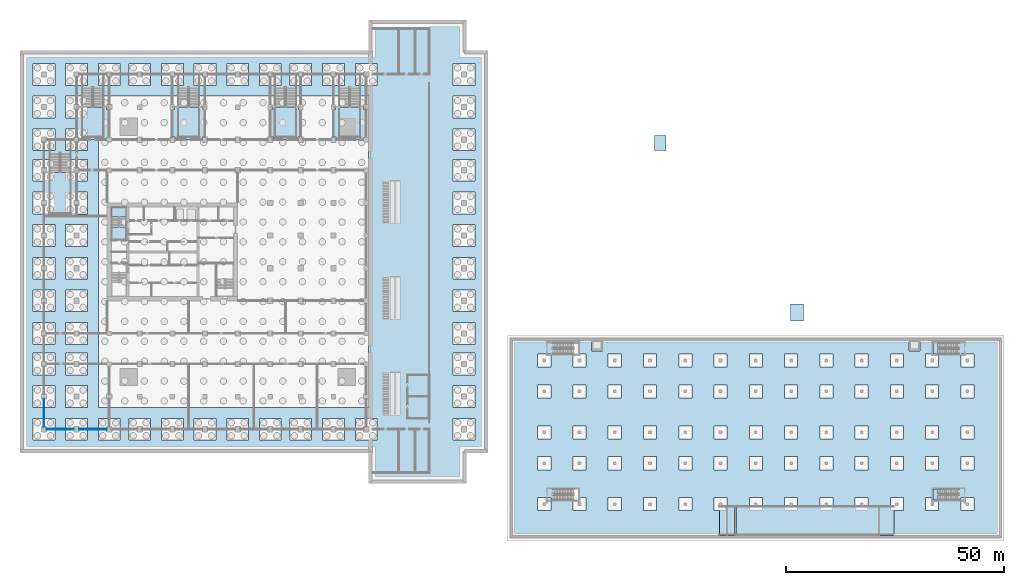
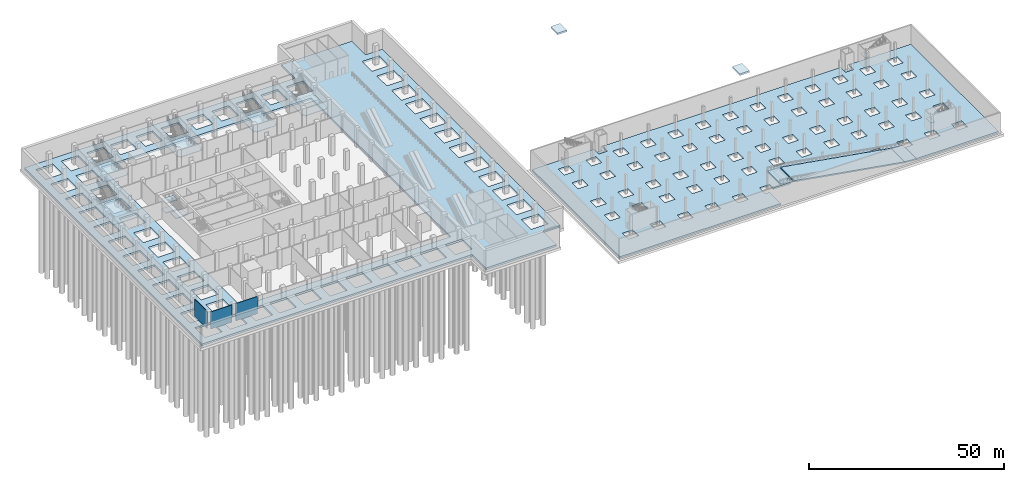
# One storey, part 5 of 39: 19 slabs, 3 walls, 8 elements without a shape of their own.
"""IFC4 building model written with IfcOpenShell, lengths in metres."""

import ifcopenshell
import ifcopenshell.guid

model = None  # the IFC model being written
_history = None  # IfcOwnerHistory: only IFC2X3 demands one
_inside = {}  # id of a spatial element -> (the spatial element, [elements in it])
_under = {}  # id of a project, library or spatial element -> (it, [spatial elements below it])
_declared = {}  # id of a project -> (the project, [libraries it declares])
_typed = {}  # id of a type object -> (the type object, [elements of that type])
_made_of = {}  # id of a material, layer set ... -> (it, [elements and type objects made of it])


def new_model(schema):
    """Start an empty IFC model of exactly this schema.

    Asked for "IFC4X3", IfcOpenShell would pick the latest addendum, in which some entities
    have other attributes; the version numbers below select the first issue.
    IFC2X3 requires an IfcOwnerHistory on every rooted entity: one is made here for all.
    """
    global model, _history
    if schema == "IFC4X3":
        model = ifcopenshell.file(schema_version=(4, 3, 0, 0))
    else:
        model = ifcopenshell.file(schema=schema)
    _inside.clear()
    _under.clear()
    _declared.clear()
    _typed.clear()
    _made_of.clear()
    _history = None
    if model.schema == "IFC2X3":
        org = make("IfcOrganization", Name="unknown")
        user = make(
            "IfcPersonAndOrganization",
            ThePerson=make("IfcPerson", FamilyName="unknown"),
            TheOrganization=org,
        )
        app = make(
            "IfcApplication",
            ApplicationDeveloper=org,
            Version="unknown",
            ApplicationFullName="unknown",
            ApplicationIdentifier="unknown",
        )
        _history = make(
            "IfcOwnerHistory",
            OwningUser=user,
            OwningApplication=app,
            ChangeAction="ADDED",
            CreationDate=0,
        )
    return model


def make(cls, **values):
    """One entity of the class cls with the attributes given. An attribute that is None is left unset."""
    return model.create_entity(
        cls, **{name: value for name, value in values.items() if value is not None}
    )


def rooted(cls, **values):
    """An entity with a GlobalId (a new one), such as an element, a storey or a relation."""
    return make(cls, GlobalId=ifcopenshell.guid.new(), OwnerHistory=_history, **values)


def si_unit(unit_type, name, prefix=None):
    """IfcSIUnit, for example si_unit("LENGTHUNIT", "METRE", prefix="MILLI")."""
    return make("IfcSIUnit", UnitType=unit_type, Prefix=prefix, Name=name)


def assignment(units):
    """IfcUnitAssignment: the units of a project."""
    return None if units is None else make("IfcUnitAssignment", Units=units)


def point(xyz):
    """IfcCartesianPoint."""
    return None if xyz is None else make("IfcCartesianPoint", Coordinates=xyz)


def direction(xyz):
    """IfcDirection."""
    return None if xyz is None else make("IfcDirection", DirectionRatios=xyz)


def frame(location, z_axis=None, x_axis=None):
    """IfcAxis2Placement3D, a coordinate frame: its origin and axes. An axis left out is left unset."""
    return make(
        "IfcAxis2Placement3D",
        Location=point(location),
        Axis=direction(z_axis),
        RefDirection=direction(x_axis),
    )


def frame_2d(location, x_axis=None):
    """IfcAxis2Placement2D, a coordinate frame in the plane: its origin and x axis."""
    return make(
        "IfcAxis2Placement2D", Location=point(location), RefDirection=direction(x_axis)
    )


def origin():
    """The frame at (0, 0, 0) with its axes left unset."""
    return frame((0.0, 0.0, 0.0))


def place(relative_to, where):
    """IfcLocalPlacement: puts the frame where relative to a parent placement (None: the world)."""
    return make(
        "IfcLocalPlacement", PlacementRelTo=relative_to, RelativePlacement=where
    )


def context(
    kind, dimensions, precision=None, world=None, true_north=None, identifier=None
):
    """IfcGeometricRepresentationContext, for example the 3D "Model" context."""
    return make(
        "IfcGeometricRepresentationContext",
        ContextIdentifier=identifier,
        ContextType=kind,
        CoordinateSpaceDimension=dimensions,
        Precision=precision,
        WorldCoordinateSystem=world,
        TrueNorth=true_north,
    )


def subcontext(parent, identifier, kind, view, scale=None):
    """IfcGeometricRepresentationSubContext, for example "Body" below "Model"."""
    return make(
        "IfcGeometricRepresentationSubContext",
        ContextIdentifier=identifier,
        ContextType=kind,
        ParentContext=parent,
        TargetScale=scale,
        TargetView=view,
    )


def project(units=None, contexts=None):
    """IfcProject with its units and contexts."""
    return rooted(
        "IfcProject",
        Name="project",
        RepresentationContexts=contexts,
        UnitsInContext=assignment(units),
    )


def spatial(cls, under=None, at=None, **own):
    """A site, building, storey or space (cls), placed at a placement, below another one or the project."""
    s = rooted(cls, ObjectPlacement=at, **own)
    if under is not None:
        _under.setdefault(under.id(), (under, []))[1].append(s)
    return s


def polyline(points):
    """IfcPolyline through the points."""
    return make("IfcPolyline", Points=[point(p) for p in points])


def profile(cls, at=None, kind="AREA", **sizes):
    """A parametric profile (cls). Its sizes go by their IFC names, for example OverallWidth=200.0."""
    return make(cls, ProfileType=kind, Position=at, **sizes)


def rectangle(**sizes):
    """IfcRectangleProfileDef."""
    return profile("IfcRectangleProfileDef", **sizes)


def outline(outer, holes=None, kind="AREA"):
    """IfcArbitraryClosedProfileDef: a profile drawn as a closed curve; with holes, ...WithVoids."""
    if holes is None:
        return make("IfcArbitraryClosedProfileDef", ProfileType=kind, OuterCurve=outer)
    return make(
        "IfcArbitraryProfileDefWithVoids",
        ProfileType=kind,
        OuterCurve=outer,
        InnerCurves=holes,
    )


def extrude(swept, where, along, depth):
    """IfcExtrudedAreaSolid: the profile swept, set in the frame where, extruded along a direction by depth."""
    return make(
        "IfcExtrudedAreaSolid",
        SweptArea=swept,
        Position=where,
        ExtrudedDirection=direction(along),
        Depth=depth,
    )


def shape(context_of_items, identifier, shape_type, items):
    """IfcShapeRepresentation: the items that make up one representation, for example the "Body"."""
    return make(
        "IfcShapeRepresentation",
        ContextOfItems=context_of_items,
        RepresentationIdentifier=identifier,
        RepresentationType=shape_type,
        Items=items,
    )


def material(Name=None, Category=None):
    """IfcMaterial."""
    return make("IfcMaterial", Name=Name, Category=Category)


def layer(
    of_material, thickness, ventilated=None, Name=None, Category=None, Priority=None
):
    """IfcMaterialLayer: one layer of a wall or slab, of a material (None: an air gap)."""
    return make(
        "IfcMaterialLayer",
        Material=of_material,
        LayerThickness=thickness,
        IsVentilated=ventilated,
        Name=Name,
        Category=Category,
        Priority=Priority,
    )


def layer_set(layers, Name=None):
    """IfcMaterialLayerSet."""
    return make("IfcMaterialLayerSet", MaterialLayers=layers, LayerSetName=Name)


def made_of(thing, what):
    """Note that an element or type object is made of a material, layer set ...; save() writes the relation."""
    if what is not None:
        _made_of.setdefault(what.id(), (what, []))[1].append(thing)
    return thing


def type_object(cls, material=None, **own):
    """A type object (cls), such as IfcWallType, which elements share."""
    return made_of(rooted(cls, **own), material)


def element(
    cls,
    number,
    at=None,
    inside=None,
    cuts=None,
    type_object=None,
    material=None,
    context=None,
    identifier="Body",
    shape_type=None,
    held_by="IfcProductDefinitionShape",
    body=None,
    shapes=None,
    **own,
):
    """One element of the class cls, such as IfcWall. Its Tag is "e" and its number.

    at: its placement. inside: the storey or other place that contains it. cuts: it is an
    opening in that element (IfcRelVoidsElement). A single representation is given by context,
    identifier, shape_type and body (its items); several are given by shapes. held_by: the class
    of the entity that holds the representations. save() writes the other relations.
    """
    e = rooted(cls, Tag="e%d" % number, ObjectPlacement=at, **own)
    if body is not None:
        shapes = [shape(context, identifier, shape_type, body)]
    if shapes is not None:
        e.Representation = make(held_by, Representations=shapes)
    if inside is not None:
        _inside.setdefault(inside.id(), (inside, []))[1].append(e)
    if cuts is not None:
        rooted(
            "IfcRelVoidsElement", RelatingBuildingElement=cuts, RelatedOpeningElement=e
        )
    if type_object is not None:
        _typed.setdefault(type_object.id(), (type_object, []))[1].append(e)
    return made_of(e, material)


def aggregate(whole, parts):
    """IfcRelAggregates: a whole, such as a stair, and the parts it consists of."""
    return rooted("IfcRelAggregates", RelatingObject=whole, RelatedObjects=parts)


def save(model, path):
    """Write the relations noted so far, then the file.

    IfcRelAggregates (storeys below a building ...), IfcRelContainedInSpatialStructure (elements
    in a storey), IfcRelDefinesByType, IfcRelAssociatesMaterial and IfcRelDeclares: one each for
    every whole, place, type object, material and project.
    """
    for whole, parts in _under.values():
        aggregate(whole, parts)
    for where, things in _inside.values():
        rooted(
            "IfcRelContainedInSpatialStructure",
            RelatedElements=things,
            RelatingStructure=where,
        )
    for kind, things in _typed.values():
        rooted("IfcRelDefinesByType", RelatedObjects=things, RelatingType=kind)
    for what, things in _made_of.values():
        rooted("IfcRelAssociatesMaterial", RelatedObjects=things, RelatingMaterial=what)
    for by, libraries in _declared.values():
        rooted("IfcRelDeclares", RelatingContext=by, RelatedDefinitions=libraries)
    model.write(path)


model = new_model("IFC4")

# Units and contexts
model_context = context("Model", 3, precision=1e-05, world=origin(), true_north=direction((0.0, 1.0)))
body_context = subcontext(model_context, "Body", "Model", "MODEL_VIEW")
ifc_project = project(units=[si_unit("LENGTHUNIT", "METRE"), si_unit("AREAUNIT", "SQUARE_METRE"), si_unit("VOLUMEUNIT", "CUBIC_METRE"), si_unit("PLANEANGLEUNIT", "RADIAN"), si_unit("MASSUNIT", "GRAM", prefix="KILO")], contexts=[model_context])

# Site, building, storey
site_placement = place(None, origin())
site = spatial("IfcSite", under=ifc_project, at=site_placement, CompositionType="ELEMENT")
building_placement = place(site_placement, origin())
building = spatial("IfcBuilding", under=site, at=building_placement, Name="Tamorin Gate", CompositionType="ELEMENT")
storey_placement = place(building_placement, frame((0.0, 0.0, -12.0)))
storey = spatial("IfcBuildingStorey", under=building, at=storey_placement, Name="B2", CompositionType="ELEMENT", Elevation=-12.0)

# Slabs
ifc_material_1 = material(Name="Concrete C40/50", Category="concrete")
ifc_layer_1 = layer(ifc_material_1, 0.60009765625)
ifc_layer_set_1 = layer_set([ifc_layer_1], Name="Basement slab 600 C40/50")
slab_type_1 = type_object("IfcSlabType", Name="Basement slab 600 C40/50", PredefinedType="BASESLAB", material=ifc_layer_set_1)
slab_1_placement = place(storey_placement, frame((0.0, 0.0, -0.60009765625)))
element("IfcSlab", 1, at=slab_1_placement, inside=storey, type_object=slab_type_1, Name="Basement B2", PredefinedType="BASESLAB", context=body_context, shape_type="SweptSolid", body=[
    extrude(outline(polyline([(116.699951171875, 25.800048828125), (111.699951171875, 25.800048828125), (111.699951171875, 18.800048828125), (90.800048828125, 18.800048828125), (90.800048828125, 25.800048828125), (10.800048828125, 25.800048828125), (10.800048828125, 116.699951171875), (90.800048828125, 116.699951171875), (90.800048828125, 123.699951171875), (111.699951171875, 123.699951171875), (111.699951171875, 116.699951171875), (116.699951171875, 116.699951171875), (116.699951171875, 25.800048828125)]), holes=[polyline([(90.0, 107.0), (28.0, 107.0), (28.0, 35.5), (90.0, 35.5), (90.0, 107.0)]), polyline([(18.0, 28.0), (18.0, 33.0), (13.0, 33.0), (13.0, 28.0), (18.0, 28.0)]), polyline([(18.0, 35.5), (18.0, 40.5), (13.0, 40.5), (13.0, 35.5), (18.0, 35.5)]), polyline([(18.0, 43.0), (18.0, 48.0), (13.0, 48.0), (13.0, 43.0), (18.0, 43.0)]), polyline([(18.0, 50.0), (18.0, 55.0), (13.0, 55.0), (13.0, 50.0), (18.0, 50.0)]), polyline([(18.0, 57.5), (18.0, 62.5), (13.0, 62.5), (13.0, 57.5), (18.0, 57.5)]), polyline([(18.0, 65.0), (18.0, 70.0), (13.0, 70.0), (13.0, 65.0), (18.0, 65.0)]), polyline([(18.0, 72.5), (18.0, 77.5), (13.0, 77.5), (13.0, 72.5), (18.0, 72.5)]), polyline([(18.0, 80.0), (18.0, 85.0), (13.0, 85.0), (13.0, 80.0), (18.0, 80.0)]), polyline([(18.0, 87.5), (18.0, 92.5), (13.0, 92.5), (13.0, 87.5), (18.0, 87.5)]), polyline([(18.0, 94.5), (18.0, 99.5), (13.0, 99.5), (13.0, 94.5), (18.0, 94.5)]), polyline([(18.0, 102.0), (18.0, 107.0), (13.0, 107.0), (13.0, 102.0), (18.0, 102.0)]), polyline([(18.0, 109.5), (18.0, 114.5), (13.0, 114.5), (13.0, 109.5), (18.0, 109.5)]), polyline([(25.5, 28.0), (25.5, 33.0), (20.5, 33.0), (20.5, 28.0), (25.5, 28.0)]), polyline([(25.5, 35.5), (25.5, 40.5), (20.5, 40.5), (20.5, 35.5), (25.5, 35.5)]), polyline([(25.5, 43.0), (25.5, 48.0), (20.5, 48.0), (20.5, 43.0), (25.5, 43.0)]), polyline([(25.5, 50.0), (25.5, 55.0), (20.5, 55.0), (20.5, 50.0), (25.5, 50.0)]), polyline([(25.5, 57.5), (25.5, 62.5), (20.5, 62.5), (20.5, 57.5), (25.5, 57.5)]), polyline([(25.5, 65.0), (25.5, 70.0), (20.5, 70.0), (20.5, 65.0), (25.5, 65.0)]), polyline([(25.5, 72.5), (25.5, 77.5), (20.5, 77.5), (20.5, 72.5), (25.5, 72.5)]), polyline([(25.5, 80.0), (25.5, 85.0), (20.5, 85.0), (20.5, 80.0), (25.5, 80.0)]), polyline([(25.5, 87.5), (25.5, 92.5), (20.5, 92.5), (20.5, 87.5), (25.5, 87.5)]), polyline([(25.5, 94.5), (25.5, 99.5), (20.5, 99.5), (20.5, 94.5), (25.5, 94.5)]), polyline([(25.5, 102.0), (25.5, 107.0), (20.5, 107.0), (20.5, 102.0), (25.5, 102.0)]), polyline([(25.5, 109.5), (25.5, 114.5), (20.5, 114.5), (20.5, 109.5), (25.5, 109.5)]), polyline([(33.0, 28.0), (33.0, 33.0), (28.0, 33.0), (28.0, 28.0), (33.0, 28.0)]), polyline([(33.0, 109.5), (33.0, 114.5), (28.0, 114.5), (28.0, 109.5), (33.0, 109.5)]), polyline([(40.0, 28.0), (40.0, 33.0), (35.0, 33.0), (35.0, 28.0), (40.0, 28.0)]), polyline([(40.0, 109.5), (40.0, 114.5), (35.0, 114.5), (35.0, 109.5), (40.0, 109.5)]), polyline([(47.5, 28.0), (47.5, 33.0), (42.5, 33.0), (42.5, 28.0), (47.5, 28.0)]), polyline([(47.5, 109.5), (47.5, 114.5), (42.5, 114.5), (42.5, 109.5), (47.5, 109.5)]), polyline([(55.0, 28.0), (55.0, 33.0), (50.0, 33.0), (50.0, 28.0), (55.0, 28.0)]), polyline([(55.0, 109.5), (55.0, 114.5), (50.0, 114.5), (50.0, 109.5), (55.0, 109.5)]), polyline([(62.5, 28.0), (62.5, 33.0), (57.5, 33.0), (57.5, 28.0), (62.5, 28.0)]), polyline([(62.5, 109.5), (62.5, 114.5), (57.5, 114.5), (57.5, 109.5), (62.5, 109.5)]), polyline([(70.0, 28.0), (70.0, 33.0), (65.0, 33.0), (65.0, 28.0), (70.0, 28.0)]), polyline([(70.0, 109.5), (70.0, 114.5), (65.0, 114.5), (65.0, 109.5), (70.0, 109.5)]), polyline([(77.0, 28.0), (77.0, 33.0), (72.0, 33.0), (72.0, 28.0), (77.0, 28.0)]), polyline([(77.0, 109.5), (77.0, 114.5), (72.0, 114.5), (72.0, 109.5), (77.0, 109.5)]), polyline([(84.5, 28.0), (84.5, 33.0), (79.5, 33.0), (79.5, 28.0), (84.5, 28.0)]), polyline([(84.5, 109.5), (84.5, 114.5), (79.5, 114.5), (79.5, 109.5), (84.5, 109.5)]), polyline([(92.0, 28.0), (92.0, 33.0), (87.0, 33.0), (87.0, 28.0), (92.0, 28.0)]), polyline([(92.0, 109.5), (92.0, 114.5), (87.0, 114.5), (87.0, 109.5), (92.0, 109.5)]), polyline([(114.5, 28.0), (114.5, 33.0), (109.5, 33.0), (109.5, 28.0), (114.5, 28.0)]), polyline([(114.5, 35.5), (114.5, 40.5), (109.5, 40.5), (109.5, 35.5), (114.5, 35.5)]), polyline([(114.5, 43.0), (114.5, 48.0), (109.5, 48.0), (109.5, 43.0), (114.5, 43.0)]), polyline([(114.5, 50.0), (114.5, 55.0), (109.5, 55.0), (109.5, 50.0), (114.5, 50.0)]), polyline([(114.5, 57.5), (114.5, 62.5), (109.5, 62.5), (109.5, 57.5), (114.5, 57.5)]), polyline([(114.5, 65.0), (114.5, 70.0), (109.5, 70.0), (109.5, 65.0), (114.5, 65.0)]), polyline([(114.5, 72.5), (114.5, 77.5), (109.5, 77.5), (109.5, 72.5), (114.5, 72.5)]), polyline([(114.5, 80.0), (114.5, 85.0), (109.5, 85.0), (109.5, 80.0), (114.5, 80.0)]), polyline([(114.5, 87.5), (114.5, 92.5), (109.5, 92.5), (109.5, 87.5), (114.5, 87.5)]), polyline([(114.5, 94.5), (114.5, 99.5), (109.5, 99.5), (109.5, 94.5), (114.5, 94.5)]), polyline([(114.5, 102.0), (114.5, 107.0), (109.5, 107.0), (109.5, 102.0), (114.5, 102.0)]), polyline([(114.5, 109.5), (114.5, 114.5), (109.5, 114.5), (109.5, 109.5), (114.5, 109.5)])]), origin(), (0.0, 0.0, 1.0), 0.60009765625),
])
ifc_layer_2 = layer(ifc_material_1, 0.5)
ifc_layer_set_2 = layer_set([ifc_layer_2], Name="Car park ground slab 500 C40/50")
slab_type_2 = type_object("IfcSlabType", Name="Car park ground slab 500 C40/50", PredefinedType="BASESLAB", material=ifc_layer_set_2)
slab_2_placement = place(storey_placement, frame((0.0, 0.0, -0.5)))
element("IfcSlab", 2, at=slab_2_placement, inside=storey, type_object=slab_type_2, Name="Car park slab on grade", PredefinedType="BASESLAB", context=body_context, shape_type="SweptSolid", body=[
    extrude(outline(polyline([(123.0, 51.0), (141.300048828125, 51.0), (141.300048828125, 48.5), (143.800048828125, 48.5), (143.800048828125, 51.0), (214.199951171875, 51.0), (214.199951171875, 48.5), (216.699951171875, 48.5), (216.699951171875, 51.0), (235.0, 51.0), (235.0, 6.0), (210.699951171875, 6.0), (210.699951171875, 11.800048828125), (212.89990234375, 11.800048828125), (212.89990234375, 14.800048828125), (209.89990234375, 14.800048828125), (209.89990234375, 13.0), (204.800048828125, 13.0), (204.800048828125, 14.800048828125), (201.800048828125, 14.800048828125), (201.800048828125, 13.0), (196.699951171875, 13.0), (196.699951171875, 14.800048828125), (193.699951171875, 14.800048828125), (193.699951171875, 13.0), (188.60009765625, 13.0), (188.60009765625, 14.800048828125), (185.60009765625, 14.800048828125), (185.60009765625, 13.0), (180.5, 13.0), (180.5, 14.800048828125), (177.5, 14.800048828125), (177.5, 13.0), (172.39990234375, 13.0), (172.39990234375, 14.800048828125), (169.39990234375, 14.800048828125), (169.39990234375, 11.800048828125), (170.60009765625, 11.800048828125), (170.60009765625, 6.0), (123.0, 6.0), (123.0, 51.0)]), holes=[polyline([(128.89990234375, 11.800048828125), (131.89990234375, 11.800048828125), (131.89990234375, 14.800048828125), (128.89990234375, 14.800048828125), (128.89990234375, 11.800048828125)]), polyline([(161.300048828125, 11.800048828125), (164.300048828125, 11.800048828125), (164.300048828125, 14.800048828125), (161.300048828125, 14.800048828125), (161.300048828125, 11.800048828125)]), polyline([(137.0, 11.800048828125), (140.0, 11.800048828125), (140.0, 14.800048828125), (137.0, 14.800048828125), (137.0, 11.800048828125)]), polyline([(153.199951171875, 11.800048828125), (156.199951171875, 11.800048828125), (156.199951171875, 14.800048828125), (153.199951171875, 14.800048828125), (153.199951171875, 11.800048828125)]), polyline([(145.10009765625, 11.800048828125), (148.10009765625, 11.800048828125), (148.10009765625, 14.800048828125), (145.10009765625, 14.800048828125), (145.10009765625, 11.800048828125)]), polyline([(128.89990234375, 21.199951171875), (131.89990234375, 21.199951171875), (131.89990234375, 24.199951171875), (128.89990234375, 24.199951171875), (128.89990234375, 21.199951171875)]), polyline([(161.300048828125, 21.199951171875), (164.300048828125, 21.199951171875), (164.300048828125, 24.199951171875), (161.300048828125, 24.199951171875), (161.300048828125, 21.199951171875)]), polyline([(153.199951171875, 21.199951171875), (156.199951171875, 21.199951171875), (156.199951171875, 24.199951171875), (153.199951171875, 24.199951171875), (153.199951171875, 21.199951171875)]), polyline([(145.10009765625, 21.199951171875), (148.10009765625, 21.199951171875), (148.10009765625, 24.199951171875), (145.10009765625, 24.199951171875), (145.10009765625, 21.199951171875)]), polyline([(137.0, 21.199951171875), (140.0, 21.199951171875), (140.0, 24.199951171875), (137.0, 24.199951171875), (137.0, 21.199951171875)]), polyline([(145.10009765625, 28.300048828125), (148.10009765625, 28.300048828125), (148.10009765625, 31.300048828125), (145.10009765625, 31.300048828125), (145.10009765625, 28.300048828125)]), polyline([(137.0, 28.300048828125), (140.0, 28.300048828125), (140.0, 31.300048828125), (137.0, 31.300048828125), (137.0, 28.300048828125)]), polyline([(153.199951171875, 28.300048828125), (156.199951171875, 28.300048828125), (156.199951171875, 31.300048828125), (153.199951171875, 31.300048828125), (153.199951171875, 28.300048828125)]), polyline([(128.89990234375, 28.300048828125), (131.89990234375, 28.300048828125), (131.89990234375, 31.300048828125), (128.89990234375, 31.300048828125), (128.89990234375, 28.300048828125)]), polyline([(145.10009765625, 37.699951171875), (148.10009765625, 37.699951171875), (148.10009765625, 40.699951171875), (145.10009765625, 40.699951171875), (145.10009765625, 37.699951171875)]), polyline([(137.0, 37.699951171875), (140.0, 37.699951171875), (140.0, 40.699951171875), (137.0, 40.699951171875), (137.0, 37.699951171875)]), polyline([(153.199951171875, 37.699951171875), (156.199951171875, 37.699951171875), (156.199951171875, 40.699951171875), (153.199951171875, 40.699951171875), (153.199951171875, 37.699951171875)]), polyline([(128.89990234375, 37.699951171875), (131.89990234375, 37.699951171875), (131.89990234375, 40.699951171875), (128.89990234375, 40.699951171875), (128.89990234375, 37.699951171875)]), polyline([(137.0, 44.800048828125), (140.0, 44.800048828125), (140.0, 47.800048828125), (137.0, 47.800048828125), (137.0, 44.800048828125)]), polyline([(145.10009765625, 44.800048828125), (148.10009765625, 44.800048828125), (148.10009765625, 47.800048828125), (145.10009765625, 47.800048828125), (145.10009765625, 44.800048828125)]), polyline([(128.89990234375, 44.800048828125), (131.89990234375, 44.800048828125), (131.89990234375, 47.800048828125), (128.89990234375, 47.800048828125), (128.89990234375, 44.800048828125)]), polyline([(153.199951171875, 44.800048828125), (156.199951171875, 44.800048828125), (156.199951171875, 47.800048828125), (153.199951171875, 47.800048828125), (153.199951171875, 44.800048828125)]), polyline([(169.39990234375, 21.199951171875), (172.39990234375, 21.199951171875), (172.39990234375, 24.199951171875), (169.39990234375, 24.199951171875), (169.39990234375, 21.199951171875)]), polyline([(193.699951171875, 21.199951171875), (196.699951171875, 21.199951171875), (196.699951171875, 24.199951171875), (193.699951171875, 24.199951171875), (193.699951171875, 21.199951171875)]), polyline([(177.5, 21.199951171875), (180.5, 21.199951171875), (180.5, 24.199951171875), (177.5, 24.199951171875), (177.5, 21.199951171875)]), polyline([(185.60009765625, 21.199951171875), (188.60009765625, 21.199951171875), (188.60009765625, 24.199951171875), (185.60009765625, 24.199951171875), (185.60009765625, 21.199951171875)]), polyline([(161.300048828125, 31.300048828125), (161.300048828125, 28.300048828125), (164.300048828125, 28.300048828125), (164.300048828125, 31.300048828125), (161.300048828125, 31.300048828125)]), polyline([(193.699951171875, 31.300048828125), (193.699951171875, 28.300048828125), (196.699951171875, 28.300048828125), (196.699951171875, 31.300048828125), (193.699951171875, 31.300048828125)]), polyline([(169.39990234375, 28.300048828125), (172.39990234375, 28.300048828125), (172.39990234375, 31.300048828125), (169.39990234375, 31.300048828125), (169.39990234375, 28.300048828125)]), polyline([(177.5, 28.300048828125), (180.5, 28.300048828125), (180.5, 31.300048828125), (177.5, 31.300048828125), (177.5, 28.300048828125)]), polyline([(185.60009765625, 28.300048828125), (188.60009765625, 28.300048828125), (188.60009765625, 31.300048828125), (185.60009765625, 31.300048828125), (185.60009765625, 28.300048828125)]), polyline([(161.300048828125, 37.699951171875), (164.300048828125, 37.699951171875), (164.300048828125, 40.699951171875), (161.300048828125, 40.699951171875), (161.300048828125, 37.699951171875)]), polyline([(193.699951171875, 37.699951171875), (196.699951171875, 37.699951171875), (196.699951171875, 40.699951171875), (193.699951171875, 40.699951171875), (193.699951171875, 37.699951171875)]), polyline([(185.60009765625, 37.699951171875), (188.60009765625, 37.699951171875), (188.60009765625, 40.699951171875), (185.60009765625, 40.699951171875), (185.60009765625, 37.699951171875)]), polyline([(177.5, 37.699951171875), (180.5, 37.699951171875), (180.5, 40.699951171875), (177.5, 40.699951171875), (177.5, 37.699951171875)]), polyline([(169.39990234375, 37.699951171875), (172.39990234375, 37.699951171875), (172.39990234375, 40.699951171875), (169.39990234375, 40.699951171875), (169.39990234375, 37.699951171875)]), polyline([(185.60009765625, 44.800048828125), (188.60009765625, 44.800048828125), (188.60009765625, 47.800048828125), (185.60009765625, 47.800048828125), (185.60009765625, 44.800048828125)]), polyline([(177.5, 44.800048828125), (180.5, 44.800048828125), (180.5, 47.800048828125), (177.5, 47.800048828125), (177.5, 44.800048828125)]), polyline([(169.39990234375, 44.800048828125), (172.39990234375, 44.800048828125), (172.39990234375, 47.800048828125), (169.39990234375, 47.800048828125), (169.39990234375, 44.800048828125)]), polyline([(161.300048828125, 44.800048828125), (164.300048828125, 44.800048828125), (164.300048828125, 47.800048828125), (161.300048828125, 47.800048828125), (161.300048828125, 44.800048828125)]), polyline([(193.699951171875, 44.800048828125), (196.699951171875, 44.800048828125), (196.699951171875, 47.800048828125), (193.699951171875, 47.800048828125), (193.699951171875, 44.800048828125)]), polyline([(226.10009765625, 11.800048828125), (229.10009765625, 11.800048828125), (229.10009765625, 14.800048828125), (226.10009765625, 14.800048828125), (226.10009765625, 11.800048828125)]), polyline([(218.0, 14.800048828125), (218.0, 11.800048828125), (221.0, 11.800048828125), (221.0, 14.800048828125), (218.0, 14.800048828125)]), polyline([(209.89990234375, 21.199951171875), (212.89990234375, 21.199951171875), (212.89990234375, 24.199951171875), (209.89990234375, 24.199951171875), (209.89990234375, 21.199951171875)]), polyline([(226.10009765625, 21.199951171875), (229.10009765625, 21.199951171875), (229.10009765625, 24.199951171875), (226.10009765625, 24.199951171875), (226.10009765625, 21.199951171875)]), polyline([(218.0, 21.199951171875), (221.0, 21.199951171875), (221.0, 24.199951171875), (218.0, 24.199951171875), (218.0, 21.199951171875)]), polyline([(201.800048828125, 21.199951171875), (204.800048828125, 21.199951171875), (204.800048828125, 24.199951171875), (201.800048828125, 24.199951171875), (201.800048828125, 21.199951171875)]), polyline([(209.89990234375, 28.300048828125), (212.89990234375, 28.300048828125), (212.89990234375, 31.300048828125), (209.89990234375, 31.300048828125), (209.89990234375, 28.300048828125)]), polyline([(226.10009765625, 28.300048828125), (229.10009765625, 28.300048828125), (229.10009765625, 31.300048828125), (226.10009765625, 31.300048828125), (226.10009765625, 28.300048828125)]), polyline([(218.0, 28.300048828125), (221.0, 28.300048828125), (221.0, 31.300048828125), (218.0, 31.300048828125), (218.0, 28.300048828125)]), polyline([(201.800048828125, 28.300048828125), (204.800048828125, 28.300048828125), (204.800048828125, 31.300048828125), (201.800048828125, 31.300048828125), (201.800048828125, 28.300048828125)]), polyline([(209.89990234375, 37.699951171875), (212.89990234375, 37.699951171875), (212.89990234375, 40.699951171875), (209.89990234375, 40.699951171875), (209.89990234375, 37.699951171875)]), polyline([(226.10009765625, 37.699951171875), (229.10009765625, 37.699951171875), (229.10009765625, 40.699951171875), (226.10009765625, 40.699951171875), (226.10009765625, 37.699951171875)]), polyline([(201.800048828125, 37.699951171875), (204.800048828125, 37.699951171875), (204.800048828125, 40.699951171875), (201.800048828125, 40.699951171875), (201.800048828125, 37.699951171875)]), polyline([(218.0, 37.699951171875), (221.0, 37.699951171875), (221.0, 40.699951171875), (218.0, 40.699951171875), (218.0, 37.699951171875)]), polyline([(226.10009765625, 44.800048828125), (229.10009765625, 44.800048828125), (229.10009765625, 47.800048828125), (226.10009765625, 47.800048828125), (226.10009765625, 44.800048828125)]), polyline([(218.0, 44.800048828125), (221.0, 44.800048828125), (221.0, 47.800048828125), (218.0, 47.800048828125), (218.0, 44.800048828125)]), polyline([(209.89990234375, 44.800048828125), (212.89990234375, 44.800048828125), (212.89990234375, 47.800048828125), (209.89990234375, 47.800048828125), (209.89990234375, 44.800048828125)]), polyline([(201.800048828125, 47.800048828125), (201.800048828125, 44.800048828125), (204.800048828125, 44.800048828125), (204.800048828125, 47.800048828125), (201.800048828125, 47.800048828125)])]), origin(), (0.0, 0.0, 1.0), 0.5),
])

# Stair, slabs
stair_type_1 = type_object("IfcStairType", Name="Exit stair", PredefinedType="HALF_TURN_STAIR", material=ifc_material_1)
stair_1_placement = place(storey_placement, origin())
stair_1 = element("IfcStair", 3, at=stair_1_placement, inside=storey, type_object=stair_type_1, Name="B2 stair ST2", PredefinedType="HALF_TURN_STAIR")
ifc_layer_3 = layer(ifc_material_1, 0.199951171875)
ifc_layer_set_3 = layer_set([ifc_layer_3], Name="Exit stair landing 200")
slab_type_3 = type_object("IfcSlabType", Name="Exit stair landing 200", PredefinedType="LANDING", material=ifc_layer_set_3)
slab_3_placement = place(storey_placement, frame((0.0, 0.0, 1.300048828125)))
slab_3 = element("IfcSlab", 4, at=slab_3_placement, type_object=slab_type_3, Name="ST2 landing 1", PredefinedType="LANDING", context=body_context, shape_type="SweptSolid", body=[
    extrude(outline(polyline([(34.5, 79.239990234375), (34.5, 81.5), (31.0, 81.5), (31.0, 79.239990234375), (34.5, 79.239990234375)])), origin(), (0.0, 0.0, 1.0), 0.199951171875),
])
slab_4_placement = place(storey_placement, frame((0.0, 0.0, 2.800048828125)))
slab_4 = element("IfcSlab", 5, at=slab_4_placement, type_object=slab_type_3, Name="ST2 landing 2", PredefinedType="LANDING", context=body_context, shape_type="SweptSolid", body=[
    extrude(outline(polyline([(34.5, 74.0), (34.5, 77.0), (31.0, 77.0), (31.0, 74.0), (34.5, 74.0)])), origin(), (0.0, 0.0, 1.0), 0.199951171875),
])
slab_5_placement = place(storey_placement, frame((0.0, 0.0, 4.300048828125)))
slab_5 = element("IfcSlab", 6, at=slab_5_placement, type_object=slab_type_3, Name="ST2 landing 3", PredefinedType="LANDING", context=body_context, shape_type="SweptSolid", body=[
    extrude(outline(polyline([(34.5, 79.239990234375), (34.5, 81.5), (31.0, 81.5), (31.0, 79.239990234375), (34.5, 79.239990234375)])), origin(), (0.0, 0.0, 1.0), 0.199951171875),
])
aggregate(stair_1, [slab_3, slab_4, slab_5])

# Slabs
ifc_layer_4 = layer(ifc_material_1, 0.5)
ifc_layer_set_4 = layer_set([ifc_layer_4], Name="Lift pit slab 500 C40/50")
slab_type_4 = type_object("IfcSlabType", Name="Lift pit slab 500 C40/50", PredefinedType="BASESLAB", material=ifc_layer_set_4)
slab_6_placement = place(storey_placement, frame((0.0, 0.0, -1.699951171875)))
element("IfcSlab", 7, at=slab_6_placement, inside=storey, type_object=slab_type_4, Name="Lift pit slab", PredefinedType="BASESLAB", context=body_context, shape_type="SweptSolid", body=[
    extrude(outline(polyline([(143.800048828125, 48.5), (143.800048828125, 51.0), (141.300048828125, 51.0), (141.300048828125, 48.5), (143.800048828125, 48.5)])), origin(), (0.0, 0.0, 1.0), 0.5),
])
slab_7_placement = place(storey_placement, frame((0.0, 0.0, -1.699951171875)))
element("IfcSlab", 8, at=slab_7_placement, inside=storey, type_object=slab_type_4, Name="Lift pit slab", PredefinedType="BASESLAB", context=body_context, shape_type="SweptSolid", body=[
    extrude(outline(polyline([(216.699951171875, 48.5), (216.699951171875, 51.0), (214.199951171875, 51.0), (214.199951171875, 48.5), (216.699951171875, 48.5)])), origin(), (0.0, 0.0, 1.0), 0.5),
])
ifc_layer_5 = layer(ifc_material_1, 0.5)
ifc_layer_set_5 = layer_set([ifc_layer_5], Name="Museum lift pit slab 500 C40/50")
slab_type_5 = type_object("IfcSlabType", Name="Museum lift pit slab 500 C40/50", PredefinedType="BASESLAB", material=ifc_layer_set_5)
slab_8_placement = place(storey_placement, frame((0.0, 0.0, 4.300048828125)))
element("IfcSlab", 9, at=slab_8_placement, inside=storey, type_object=slab_type_5, Name="Lift pit slab", PredefinedType="BASESLAB", context=body_context, shape_type="SweptSolid", body=[
    extrude(outline(polyline([(158.39990234375, 94.5), (158.39990234375, 98.0), (155.699951171875, 98.0), (155.699951171875, 94.5), (158.39990234375, 94.5)])), origin(), (0.0, 0.0, 1.0), 0.5),
])
slab_9_placement = place(storey_placement, frame((0.0, 0.0, 4.300048828125)))
element("IfcSlab", 10, at=slab_9_placement, inside=storey, type_object=slab_type_5, Name="Lift pit slab", PredefinedType="BASESLAB", context=body_context, shape_type="SweptSolid", body=[
    extrude(outline(polyline([(189.89990234375, 55.39990234375), (189.89990234375, 59.300048828125), (187.0, 59.300048828125), (187.0, 55.39990234375), (189.89990234375, 55.39990234375)])), origin(), (0.0, 0.0, 1.0), 0.5),
])

# Stair, slab
ifc_material_2 = material(Name="Reinforced concrete C32/40", Category="concrete")
stair_type_2 = type_object("IfcStairType", Name="Basement stair SB", PredefinedType="HALF_TURN_STAIR", material=ifc_material_2)
stair_2_placement = place(storey_placement, origin())
stair_2 = element("IfcStair", 11, at=stair_2_placement, inside=storey, type_object=stair_type_2, Name="B2 Basement stair SB1", PredefinedType="HALF_TURN_STAIR")
ifc_layer_6 = layer(ifc_material_2, 0.199951171875)
ifc_layer_set_6 = layer_set([ifc_layer_6], Name="Stair landing 200")
slab_type_6 = type_object("IfcSlabType", Name="Stair landing 200", PredefinedType="LANDING", material=ifc_layer_set_6)
slab_10_placement = place(storey_placement, frame((0.0, 0.0, 2.800048828125)))
slab_10 = element("IfcSlab", 12, at=slab_10_placement, type_object=slab_type_6, Name="SB1 landing 1", PredefinedType="LANDING", context=body_context, shape_type="SweptSolid", body=[
    extrude(outline(polyline([(22.39990234375, 83.10009765625), (22.39990234375, 81.89990234375), (22.89990234375, 81.89990234375), (22.89990234375, 79.5), (15.64990234375, 79.5), (15.64990234375, 81.89990234375), (16.10009765625, 81.89990234375), (16.10009765625, 83.10009765625), (15.64990234375, 83.10009765625), (15.64990234375, 89.39990234375), (16.10009765625, 89.39990234375), (16.10009765625, 89.52001953125), (22.39990234375, 89.52001953125), (22.39990234375, 89.39990234375), (22.89990234375, 89.39990234375), (22.89990234375, 83.10009765625), (22.39990234375, 83.10009765625)])), origin(), (0.0, 0.0, 1.0), 0.199951171875),
])
aggregate(stair_2, [slab_10])

stair_3_placement = place(storey_placement, origin())
stair_3 = element("IfcStair", 13, at=stair_3_placement, inside=storey, type_object=stair_type_2, Name="B2 Basement stair SB2", PredefinedType="HALF_TURN_STAIR")
slab_11_placement = place(storey_placement, frame((0.0, 0.0, 2.800048828125)))
slab_11 = element("IfcSlab", 14, at=slab_11_placement, type_object=slab_type_6, Name="SB2 landing 1", PredefinedType="LANDING", context=body_context, shape_type="SweptSolid", body=[
    extrude(outline(polyline([(30.39990234375, 97.5), (30.0, 97.5), (30.0, 97.10009765625), (23.60009765625, 97.10009765625), (23.60009765625, 97.60009765625), (23.10009765625, 97.60009765625), (23.10009765625, 103.89990234375), (23.60009765625, 103.89990234375), (23.60009765625, 104.52001953125), (29.89990234375, 104.52001953125), (29.89990234375, 103.89990234375), (30.39990234375, 103.89990234375), (30.39990234375, 97.5)])), origin(), (0.0, 0.0, 1.0), 0.199951171875),
])
aggregate(stair_3, [slab_11])

stair_4_placement = place(storey_placement, origin())
stair_4 = element("IfcStair", 15, at=stair_4_placement, inside=storey, type_object=stair_type_2, Name="B2 Basement stair SB3", PredefinedType="HALF_TURN_STAIR")
slab_12_placement = place(storey_placement, frame((0.0, 0.0, 2.800048828125)))
slab_12 = element("IfcSlab", 16, at=slab_12_placement, type_object=slab_type_6, Name="SB3 landing 1", PredefinedType="LANDING", context=body_context, shape_type="SweptSolid", body=[
    extrude(outline(polyline([(51.89990234375, 97.60009765625), (51.89990234375, 97.10009765625), (45.60009765625, 97.10009765625), (45.60009765625, 97.60009765625), (45.10009765625, 97.60009765625), (45.10009765625, 104.0), (45.5, 104.0), (45.5, 104.52001953125), (52.0, 104.52001953125), (52.0, 104.0), (52.39990234375, 104.0), (52.39990234375, 97.60009765625), (51.89990234375, 97.60009765625)])), origin(), (0.0, 0.0, 1.0), 0.199951171875),
])
aggregate(stair_4, [slab_12])

stair_5_placement = place(storey_placement, origin())
stair_5 = element("IfcStair", 17, at=stair_5_placement, inside=storey, type_object=stair_type_2, Name="B2 Basement stair SB4", PredefinedType="HALF_TURN_STAIR")
slab_13_placement = place(storey_placement, frame((0.0, 0.0, 2.800048828125)))
slab_13 = element("IfcSlab", 18, at=slab_13_placement, type_object=slab_type_6, Name="SB4 landing 1", PredefinedType="LANDING", context=body_context, shape_type="SweptSolid", body=[
    extrude(outline(polyline([(73.89990234375, 97.60009765625), (73.89990234375, 97.10009765625), (68.10009765625, 97.10009765625), (68.10009765625, 97.60009765625), (67.60009765625, 97.60009765625), (67.60009765625, 104.0), (68.0, 104.0), (68.0, 104.52001953125), (74.0, 104.52001953125), (74.0, 104.0), (74.39990234375, 104.0), (74.39990234375, 97.60009765625), (73.89990234375, 97.60009765625)])), origin(), (0.0, 0.0, 1.0), 0.199951171875),
])
aggregate(stair_5, [slab_13])

stair_6_placement = place(storey_placement, origin())
stair_6 = element("IfcStair", 19, at=stair_6_placement, inside=storey, type_object=stair_type_2, Name="B2 Basement stair SB5", PredefinedType="HALF_TURN_STAIR")
slab_14_placement = place(storey_placement, frame((0.0, 0.0, 2.800048828125)))
slab_14 = element("IfcSlab", 20, at=slab_14_placement, type_object=slab_type_6, Name="SB5 landing 1", PredefinedType="LANDING", context=body_context, shape_type="SweptSolid", body=[
    extrude(outline(polyline([(89.0, 97.10009765625), (82.60009765625, 97.10009765625), (82.60009765625, 97.60009765625), (82.10009765625, 97.60009765625), (82.10009765625, 104.0), (82.5, 104.0), (82.5, 104.52001953125), (88.89990234375, 104.52001953125), (88.89990234375, 103.89990234375), (89.39990234375, 103.89990234375), (89.39990234375, 97.5), (89.0, 97.5), (89.0, 97.10009765625)])), origin(), (0.0, 0.0, 1.0), 0.199951171875),
])
aggregate(stair_6, [slab_14])

stair_type_3 = type_object("IfcStairType", Name="Exit stair 1200 C40/50", PredefinedType="HALF_TURN_STAIR", material=ifc_material_1)
stair_7_placement = place(storey_placement, origin())
stair_7 = element("IfcStair", 21, at=stair_7_placement, inside=storey, type_object=stair_type_3, Name="B2 SB8", PredefinedType="HALF_TURN_STAIR")
ifc_layer_7 = layer(ifc_material_1, 0.199951171875)
ifc_layer_set_7 = layer_set([ifc_layer_7], Name="Stair landing slab 200 C40/50")
slab_type_7 = type_object("IfcSlabType", Name="Stair landing slab 200 C40/50", PredefinedType="LANDING", material=ifc_layer_set_7)
slab_15_placement = place(storey_placement, frame((0.0, 0.0, 2.800048828125)))
slab_15 = element("IfcSlab", 22, at=slab_15_placement, type_object=slab_type_7, Name="SB8 landing 1", PredefinedType="LANDING", context=body_context, shape_type="SweptSolid", body=[
    extrude(outline(polyline([(220.889892578125, 16.800048828125), (219.68994140625, 16.800048828125), (219.68994140625, 14.25), (220.889892578125, 14.25), (220.889892578125, 16.800048828125)])), origin(), (0.0, 0.0, 1.0), 0.199951171875),
])
aggregate(stair_7, [slab_15])

stair_8_placement = place(storey_placement, origin())
stair_8 = element("IfcStair", 23, at=stair_8_placement, inside=storey, type_object=stair_type_3, Name="B2 SB9", PredefinedType="HALF_TURN_STAIR")
slab_16_placement = place(storey_placement, frame((0.0, 0.0, 2.800048828125)))
slab_16 = element("IfcSlab", 24, at=slab_16_placement, type_object=slab_type_7, Name="SB9 landing 1", PredefinedType="LANDING", context=body_context, shape_type="SweptSolid", body=[
    extrude(outline(polyline([(220.889892578125, 50.300048828125), (219.68994140625, 50.300048828125), (219.68994140625, 47.75), (220.889892578125, 47.75), (220.889892578125, 50.300048828125)])), origin(), (0.0, 0.0, 1.0), 0.199951171875),
])
aggregate(stair_8, [slab_16])

# Slabs
ifc_layer_8 = layer(ifc_material_1, 0.39990234375)
ifc_layer_set_8 = layer_set([ifc_layer_8], Name="Vehicle ramp slab 400 C40/50")
slab_type_8 = type_object("IfcSlabType", Name="Vehicle ramp slab 400 C40/50", PredefinedType="LANDING", material=ifc_layer_set_8)
slab_17_placement = place(storey_placement, frame((170.64990234375, 6.0, 6.0), z_axis=(0.071247049988, 0.0, 0.997458699831), x_axis=(0.997458699831, 0.0, -0.071247049988)))
element("IfcSlab", 25, at=slab_17_placement, inside=storey, type_object=slab_type_8, Name="Vehicle ramp 2 slab 1", PredefinedType="LANDING", context=body_context, shape_type="SweptSolid", body=[
    extrude(outline(polyline([(0.0, 0.0), (1.754458605952275, 0.0), (3.50891721190455, 0.0), (3.50891721190455, 3.5), (3.50891721190455, 7.0), (1.754458605952275, 7.0), (0.0, 7.0), (0.0, 3.5), (0.0, 0.0)])), origin(), (0.0, 0.0, -1.0), 0.39990234375),
])
slab_18_placement = place(storey_placement, frame((174.530029296875, 6.0, 5.75), z_axis=(0.166262105481, 0.0, 0.986081595144), x_axis=(0.986081595144, 0.0, -0.166262105481)))
element("IfcSlab", 26, at=slab_18_placement, inside=storey, type_object=slab_type_8, Name="Vehicle ramp 2 slab 2", PredefinedType="LANDING", context=body_context, shape_type="SweptSolid", body=[
    extrude(outline(polyline([(0.0, 0.0), (16.54026938508398, 0.0), (33.08029802759102, 0.0), (33.08029802759102, 3.5), (33.08029802759102, 7.0), (16.54026938508398, 7.0), (0.0, 7.0), (0.0, 3.5), (0.0, 0.0)])), origin(), (0.0, 0.0, -1.0), 0.39990234375),
])
slab_19_placement = place(storey_placement, frame((207.14990234375, 6.0, 0.25), z_axis=(0.071247049988, 0.0, 0.997458699831), x_axis=(0.997458699831, 0.0, -0.071247049988)))
element("IfcSlab", 27, at=slab_19_placement, inside=storey, type_object=slab_type_8, Name="Vehicle ramp 2 slab 3", PredefinedType="LANDING", context=body_context, shape_type="SweptSolid", body=[
    extrude(outline(polyline([(0.0, 0.0), (1.754458605952275, 0.0), (3.50891721190455, 0.0), (3.50891721190455, 3.5), (3.50891721190455, 7.0), (1.754458605952275, 7.0), (0.0, 7.0), (0.0, 3.5), (0.0, 0.0)])), origin(), (0.0, 0.0, -1.0), 0.39990234375),
])

# Walls
ifc_material_3 = material(Name="Concrete masonry C20/25", Category="masonry")
ifc_layer_9 = layer(ifc_material_3, 0.199951171875)
ifc_layer_set_9 = layer_set([ifc_layer_9], Name="Plant room wall 200")
wall_type = type_object("IfcWallType", Name="Plant room wall 200", PredefinedType="PARTITIONING", material=ifc_layer_set_9)
for number, where, z_axis, x_axis, name in (
    (28, (16.10009765625, 30.5, 0.0), (0.0, 0.0, 1.0), (1.0, 0.0, 0.0), "Plant room wall 200 B2"),
    (29, (23.60009765625, 30.5, 0.0), (0.0, 0.0, 1.0), (1.0, 0.0, 0.0), "Plant room wall 200 B2"),
    (30, (15.5, 31.10009765625, 0.0), (0.0, 0.0, 1.0), (0.0, 1.0, 0.0), "Plant room wall 200 B2"),
):
    element("IfcWall", number, at=place(storey_placement, frame(where, z_axis=z_axis, x_axis=x_axis)), inside=storey, type_object=wall_type, Name=name, PredefinedType="PARTITIONING", context=body_context, shape_type="SweptSolid", body=[
        extrude(rectangle(XDim=6.2998046875, YDim=0.199951171875, at=frame_2d((3.14990234375, 0.0))), origin(), (0.0, 0.0, 1.0), 5.39990234375),
    ])

save(model, "model.ifc")
